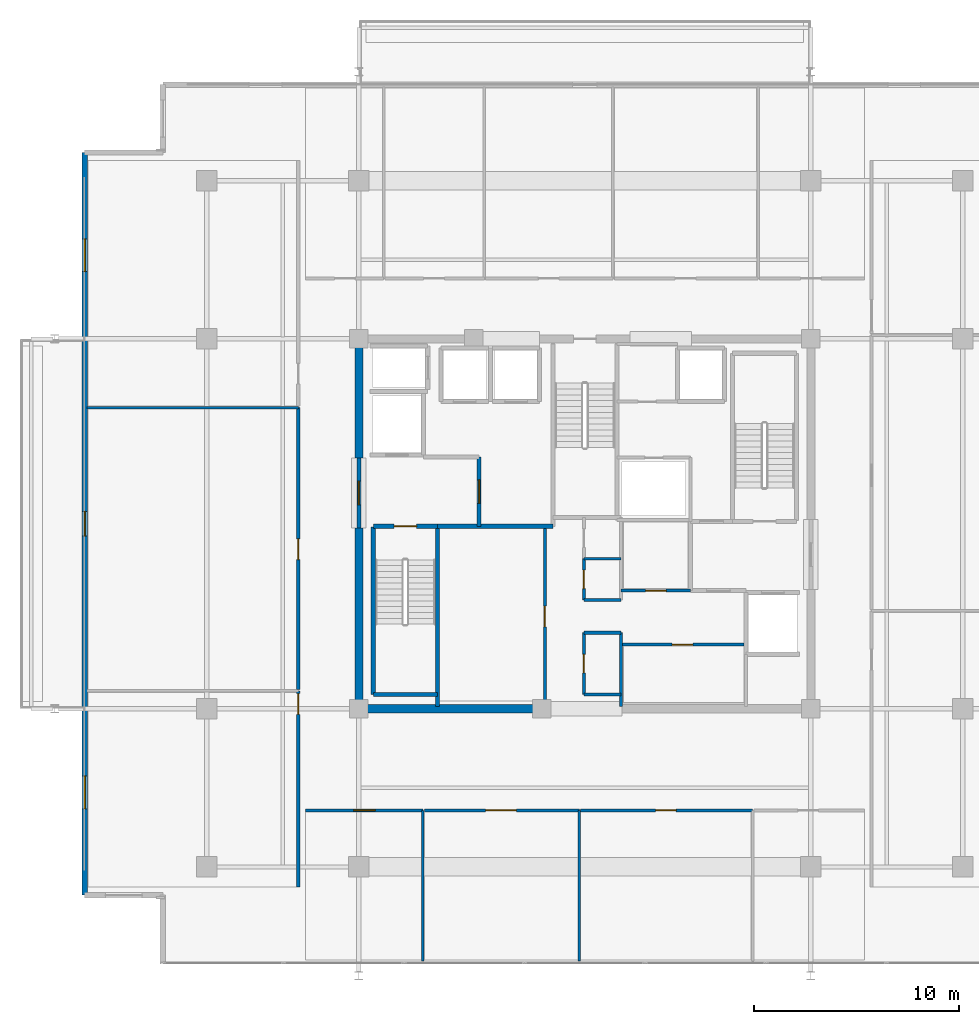
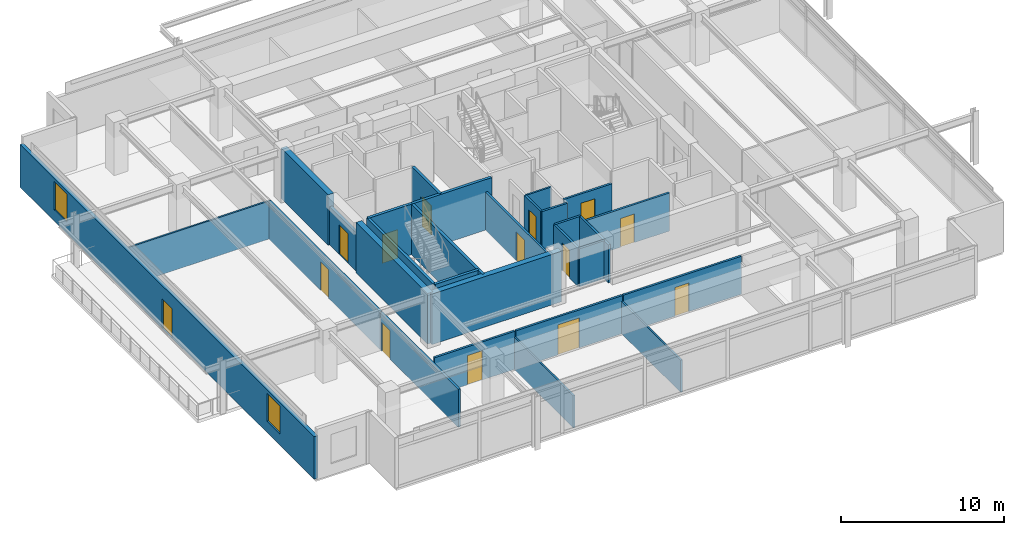
# One storey, part 13 of 20: 29 walls, 14 doors, 2 windows, 16 openings.
"""IFC4 building model written with IfcOpenShell, lengths in metres."""

from ifc_helpers import new_model, si_unit, direction, frame, frame_2d, origin, place, context, subcontext, project, spatial, rectangle, extrude, material, layer, layer_set, type_object, element, fill, save


model = new_model("IFC4")

# Units and contexts
model_context = context("Model", 3, precision=1e-05, world=origin(), true_north=direction((0.0, 1.0)))
body_context = subcontext(model_context, "Body", "Model", "MODEL_VIEW")
ifc_project = project(units=[si_unit("LENGTHUNIT", "METRE"), si_unit("AREAUNIT", "SQUARE_METRE"), si_unit("VOLUMEUNIT", "CUBIC_METRE"), si_unit("PLANEANGLEUNIT", "RADIAN"), si_unit("MASSUNIT", "GRAM", prefix="KILO")], contexts=[model_context])

# Site, building, storey
site_placement = place(None, origin())
site = spatial("IfcSite", under=ifc_project, at=site_placement, CompositionType="ELEMENT")
building_placement = place(site_placement, origin())
building = spatial("IfcBuilding", under=site, at=building_placement, Name="Kovane Verandah Tower", CompositionType="ELEMENT")
storey_placement = place(building_placement, frame((0.0, 0.0, 334.800048828125)))
storey = spatial("IfcBuildingStorey", under=building, at=storey_placement, Name="L78", CompositionType="ELEMENT", Elevation=334.800048828125)

# Walls
ifc_material_1 = material(Name="Fire-Rated Gypsum Stud Partition", Category="gypsum")
ifc_layer_1 = layer(ifc_material_1, 0.14990234375)
ifc_layer_set_1 = layer_set([ifc_layer_1], Name="Fire-Rated Gypsum Stud Partition")
wall_type_1 = type_object("IfcWallType", Name="WL-COR-150", PredefinedType="PARTITIONING", material=ifc_layer_set_1)
for number, where, z_axis, x_axis, name in (
    (1, (39.949951171875, 19.199951171875, 0.0), (0.0, 0.0, 1.0), (1.0, 0.0, 0.0), "L78 Central Core Strip South Wall"),
    (2, (39.949951171875, 22.199951171875, 0.0), (0.0, 0.0, 1.0), (1.0, 0.0, 0.0), "L78 Core Cross-Passage South Wall"),
    (3, (39.949951171875, 23.800048828125, 0.0), (0.0, 0.0, 1.0), (1.0, 0.0, 0.0), "L78 Core Cross-Passage North Wall"),
):
    element("IfcWall", number, at=place(storey_placement, frame(where, z_axis=z_axis, x_axis=x_axis)), inside=storey, type_object=wall_type_1, Name=name, PredefinedType="PARTITIONING", context=body_context, shape_type="SweptSolid", body=[
        extrude(rectangle(XDim=1.81005859375, YDim=0.14990234375, at=frame_2d((0.905029296875, 0.0))), origin(), (0.0, 0.0, 1.0), 2.849853515625),
    ])
wall_1_placement = place(storey_placement, frame((41.760009765625, 18.60009765625, 0.0), z_axis=(0.0, 0.0, 1.0), x_axis=(0.0, 1.0, 0.0)))
element("IfcWall", 4, at=wall_1_placement, inside=storey, type_object=wall_type_1, Name="L78 Central Core Strip Lower East Wall", PredefinedType="PARTITIONING", context=body_context, shape_type="SweptSolid", body=[
    extrude(rectangle(XDim=3.599853515625, YDim=0.14990234375, at=frame_2d((1.7998046875, 0.0))), origin(), (0.0, 0.0, 1.0), 2.849853515625),
])

# Wall, opening, door
wall_2_placement = place(storey_placement, frame((39.949951171875, 19.199951171875, 0.0), z_axis=(0.0, 0.0, 1.0), x_axis=(0.0, 1.0, 0.0)))
wall_2 = element("IfcWall", 5, at=wall_2_placement, inside=storey, type_object=wall_type_1, Name="L78 Male Toilet Partition", PredefinedType="PARTITIONING", context=body_context, shape_type="SweptSolid", body=[
    extrude(rectangle(XDim=3.0, YDim=0.14990234375, at=frame_2d((1.5, 0.0))), origin(), (0.0, 0.0, 1.0), 2.849853515625),
])
opening_1_placement = place(wall_2_placement, frame((1.050048828125, 0.0, 0.0)))
opening_1 = element("IfcOpeningElement", 6, at=opening_1_placement, cuts=wall_2, Name="Opening DR-L78-030", PredefinedType="OPENING", context=body_context, shape_type="SweptSolid", body=[
    extrude(rectangle(XDim=0.89990234375, YDim=2.10009765625, at=frame_2d((0.449951171875, 1.050048828125))), frame((0.0, 0.074951171875, 0.0), z_axis=(0.0, -1.0, 0.0), x_axis=(1.0, 0.0, 0.0)), (0.0, 0.0, 1.0), 0.14990234375),
])
ifc_material_2 = material(Name="Moisture-Resistant Laminate Washroom Door", Category="wood")
door_type_1 = type_object("IfcDoorType", Name="DR-WC-900", OperationType="SINGLE_SWING_LEFT", PredefinedType="DOOR", material=ifc_material_2)
door_1_placement = place(opening_1_placement, origin())
door_1 = element("IfcDoor", 7, at=door_1_placement, inside=storey, type_object=door_type_1, Name="L78 Male Toilet Door", OperationType="SINGLE_SWING_LEFT", OverallHeight=2.10009765625, OverallWidth=0.89990234375, PredefinedType="DOOR", context=body_context, shape_type="SweptSolid", body=[
    extrude(rectangle(XDim=0.89990234375, YDim=2.10009765625, at=frame_2d((0.449951171875, 1.050048828125))), frame((0.0, 0.02490234375, 0.0), z_axis=(0.0, -1.0, 0.0), x_axis=(1.0, 0.0, 0.0)), (0.0, 0.0, 1.0), 0.050048828125),
])
fill(opening_1, door_1)

wall_3_placement = place(storey_placement, frame((39.949951171875, 23.800048828125, 0.0), z_axis=(0.0, 0.0, 1.0), x_axis=(0.0, 1.0, 0.0)))
wall_3 = element("IfcWall", 8, at=wall_3_placement, inside=storey, type_object=wall_type_1, Name="L78 Female Toilet Partition", PredefinedType="PARTITIONING", context=body_context, shape_type="SweptSolid", body=[
    extrude(rectangle(XDim=2.0, YDim=0.14990234375, at=frame_2d((1.0, 0.0))), origin(), (0.0, 0.0, 1.0), 2.849853515625),
])
opening_2_placement = place(wall_3_placement, frame((0.550048828125, 0.0, 0.0)))
opening_2 = element("IfcOpeningElement", 9, at=opening_2_placement, cuts=wall_3, Name="Opening DR-L78-029", PredefinedType="OPENING", context=body_context, shape_type="SweptSolid", body=[
    extrude(rectangle(XDim=0.89990234375, YDim=2.10009765625, at=frame_2d((0.449951171875, 1.050048828125))), frame((0.0, 0.074951171875, 0.0), z_axis=(0.0, -1.0, 0.0), x_axis=(1.0, 0.0, 0.0)), (0.0, 0.0, 1.0), 0.14990234375),
])
door_2_placement = place(opening_2_placement, origin())
door_2 = element("IfcDoor", 10, at=door_2_placement, inside=storey, type_object=door_type_1, Name="L78 Female Toilet Door", OperationType="SINGLE_SWING_RIGHT", OverallHeight=2.10009765625, OverallWidth=0.89990234375, PredefinedType="DOOR", context=body_context, shape_type="SweptSolid", body=[
    extrude(rectangle(XDim=0.89990234375, YDim=2.10009765625, at=frame_2d((0.449951171875, 1.050048828125))), frame((0.0, 0.02490234375, 0.0), z_axis=(0.0, -1.0, 0.0), x_axis=(1.0, 0.0, 0.0)), (0.0, 0.0, 1.0), 0.050048828125),
])
fill(opening_2, door_2)

wall_4_placement = place(storey_placement, frame((38.050048828125, 18.60009765625, 0.0), z_axis=(0.0, 0.0, 1.0), x_axis=(0.0, 1.0, 0.0)))
wall_4 = element("IfcWall", 11, at=wall_4_placement, inside=storey, type_object=wall_type_1, Name="L78 Tenant Wellness and Archive Suite Partition", PredefinedType="PARTITIONING", context=body_context, shape_type="SweptSolid", body=[
    extrude(rectangle(XDim=8.77978515625, YDim=0.14990234375, at=frame_2d((4.389892578125, 0.0))), origin(), (0.0, 0.0, 1.0), 2.849853515625),
])
opening_3_placement = place(wall_4_placement, frame((3.889892578125, 0.0, 0.0)))
opening_3 = element("IfcOpeningElement", 12, at=opening_3_placement, cuts=wall_4, Name="Opening DR-L78-014", PredefinedType="OPENING", context=body_context, shape_type="SweptSolid", body=[
    extrude(rectangle(XDim=1.0, YDim=2.14990234375, at=frame_2d((0.5, 1.074951171875))), frame((0.0, 0.074951171875, 0.0), z_axis=(0.0, -1.0, 0.0), x_axis=(1.0, 0.0, 0.0)), (0.0, 0.0, 1.0), 0.14990234375),
])
ifc_material_3 = material(Name="FSC Spotted-Gum Timber Fire-Rated Office Door", Category="wood")
door_type_2 = type_object("IfcDoorType", Name="DR-OFF-1000", OperationType="SINGLE_SWING_LEFT", PredefinedType="DOOR", material=ifc_material_3)
door_3_placement = place(opening_3_placement, origin())
door_3 = element("IfcDoor", 13, at=door_3_placement, inside=storey, type_object=door_type_2, Name="L78 Tenant Wellness and Archive Suite Door", OperationType="SINGLE_SWING_RIGHT", OverallHeight=2.14990234375, OverallWidth=1.0, PredefinedType="DOOR", context=body_context, shape_type="SweptSolid", body=[
    extrude(rectangle(XDim=1.0, YDim=2.14990234375, at=frame_2d((0.5, 1.074951171875))), frame((0.0, 0.02490234375, 0.0), z_axis=(0.0, -1.0, 0.0), x_axis=(1.0, 0.0, 0.0)), (0.0, 0.0, 1.0), 0.050048828125),
])
fill(opening_3, door_3)

wall_5_placement = place(storey_placement, frame((41.760009765625, 21.6201171875, 0.0), z_axis=(0.0, 0.0, 1.0), x_axis=(1.0, 0.0, 0.0)))
wall_5 = element("IfcWall", 14, at=wall_5_placement, inside=storey, type_object=wall_type_1, Name="L78 Records Vault Room Partition", PredefinedType="PARTITIONING", context=body_context, shape_type="SweptSolid", body=[
    extrude(rectangle(XDim=5.97998046875, YDim=0.14990234375, at=frame_2d((2.989990234375, 0.0))), origin(), (0.0, 0.0, 1.0), 2.849853515625),
])
opening_4_placement = place(wall_5_placement, frame((2.489990234375, 0.0, 0.0)))
opening_4 = element("IfcOpeningElement", 15, at=opening_4_placement, cuts=wall_5, Name="Opening DR-L78-015", PredefinedType="OPENING", context=body_context, shape_type="SweptSolid", body=[
    extrude(rectangle(XDim=1.0, YDim=2.14990234375, at=frame_2d((0.5, 1.074951171875))), frame((0.0, 0.074951171875, 0.0), z_axis=(0.0, -1.0, 0.0), x_axis=(1.0, 0.0, 0.0)), (0.0, 0.0, 1.0), 0.14990234375),
])
door_4_placement = place(opening_4_placement, origin())
door_4 = element("IfcDoor", 16, at=door_4_placement, inside=storey, type_object=door_type_2, Name="L78 Records Vault Room Door", OperationType="SINGLE_SWING_LEFT", OverallHeight=2.14990234375, OverallWidth=1.0, PredefinedType="DOOR", context=body_context, shape_type="SweptSolid", body=[
    extrude(rectangle(XDim=1.0, YDim=2.14990234375, at=frame_2d((0.5, 1.074951171875))), frame((0.0, 0.02490234375, 0.0), z_axis=(0.0, -1.0, 0.0), x_axis=(1.0, 0.0, 0.0)), (0.0, 0.0, 1.0), 0.050048828125),
])
fill(opening_4, door_4)

wall_6_placement = place(storey_placement, frame((41.760009765625, 24.25, 0.0), z_axis=(0.0, 0.0, 1.0), x_axis=(1.0, 0.0, 0.0)))
wall_6 = element("IfcWall", 17, at=wall_6_placement, inside=storey, type_object=wall_type_1, Name="L78 Document Archive Room Partition", PredefinedType="PARTITIONING", context=body_context, shape_type="SweptSolid", body=[
    extrude(rectangle(XDim=3.389892578125, YDim=0.14990234375, at=frame_2d((1.69482421875, 0.0))), origin(), (0.0, 0.0, 1.0), 2.849853515625),
])
opening_5_placement = place(wall_6_placement, frame((1.195068359375, 0.0, 0.0)))
opening_5 = element("IfcOpeningElement", 18, at=opening_5_placement, cuts=wall_6, Name="Opening DR-L78-016", PredefinedType="OPENING", context=body_context, shape_type="SweptSolid", body=[
    extrude(rectangle(XDim=1.0, YDim=2.14990234375, at=frame_2d((0.5, 1.074951171875))), frame((0.0, 0.074951171875, 0.0), z_axis=(0.0, -1.0, 0.0), x_axis=(1.0, 0.0, 0.0)), (0.0, 0.0, 1.0), 0.14990234375),
])
door_5_placement = place(opening_5_placement, origin())
door_5 = element("IfcDoor", 19, at=door_5_placement, inside=storey, type_object=door_type_2, Name="L78 Document Archive Room Door", OperationType="SINGLE_SWING_RIGHT", OverallHeight=2.14990234375, OverallWidth=1.0, PredefinedType="DOOR", context=body_context, shape_type="SweptSolid", body=[
    extrude(rectangle(XDim=1.0, YDim=2.14990234375, at=frame_2d((0.5, 1.074951171875))), frame((0.0, 0.02490234375, 0.0), z_axis=(0.0, -1.0, 0.0), x_axis=(1.0, 0.0, 0.0)), (0.0, 0.0, 1.0), 0.050048828125),
])
fill(opening_5, door_5)

wall_7_placement = place(storey_placement, frame((26.39990234375, 13.550048828125, 0.0), z_axis=(0.0, 0.0, 1.0), x_axis=(1.0, 0.0, 0.0)))
wall_7 = element("IfcWall", 20, at=wall_7_placement, inside=storey, type_object=wall_type_1, Name="L78 Executive Office S1 Corridor Partition", PredefinedType="PARTITIONING", context=body_context, shape_type="SweptSolid", body=[
    extrude(rectangle(XDim=5.712158203125, YDim=0.14990234375, at=frame_2d((2.85595703125, 0.0))), origin(), (0.0, 0.0, 1.0), 2.849853515625),
])
opening_6_placement = place(wall_7_placement, frame((2.345947265625, 0.0, 0.0)))
opening_6 = element("IfcOpeningElement", 21, at=opening_6_placement, cuts=wall_7, Name="Opening DR-L78-024", PredefinedType="OPENING", context=body_context, shape_type="SweptSolid", body=[
    extrude(rectangle(XDim=1.050048828125, YDim=2.199951171875, at=frame_2d((0.52490234375, 1.10009765625))), frame((0.0, 0.074951171875, 0.0), z_axis=(0.0, -1.0, 0.0), x_axis=(1.0, 0.0, 0.0)), (0.0, 0.0, 1.0), 0.14990234375),
])
ifc_material_4 = material(Name="FSC Blackbutt Timber Fire-Rated Executive Door", Category="wood")
door_type_3 = type_object("IfcDoorType", Name="DR-EXEC-1050", OperationType="SINGLE_SWING_LEFT", PredefinedType="DOOR", material=ifc_material_4)
door_6_placement = place(opening_6_placement, origin())
door_6 = element("IfcDoor", 22, at=door_6_placement, inside=storey, type_object=door_type_3, Name="L78 Executive Office S1 Entrance Door", OperationType="SINGLE_SWING_RIGHT", OverallHeight=2.199951171875, OverallWidth=1.050048828125, PredefinedType="DOOR", context=body_context, shape_type="SweptSolid", body=[
    extrude(rectangle(XDim=1.050048828125, YDim=2.199951171875, at=frame_2d((0.52490234375, 1.10009765625))), frame((0.0, 0.02490234375, 0.0), z_axis=(0.0, -1.0, 0.0), x_axis=(1.0, 0.0, 0.0)), (0.0, 0.0, 1.0), 0.050048828125),
])
fill(opening_6, door_6)

wall_8_placement = place(storey_placement, frame((32.181884765625, 13.550048828125, 0.0), z_axis=(0.0, 0.0, 1.0), x_axis=(1.0, 0.0, 0.0)))
wall_8 = element("IfcWall", 23, at=wall_8_placement, inside=storey, type_object=wall_type_1, Name="L78 Client Boardroom S2 Corridor Partition", PredefinedType="PARTITIONING", context=body_context, shape_type="SweptSolid", body=[
    extrude(rectangle(XDim=7.546142578125, YDim=0.14990234375, at=frame_2d((3.77294921875, 0.0))), origin(), (0.0, 0.0, 1.0), 2.849853515625),
])
opening_7_placement = place(wall_8_placement, frame((2.988037109375, 0.0, 0.0)))
opening_7 = element("IfcOpeningElement", 24, at=opening_7_placement, cuts=wall_8, Name="Opening DR-L78-025", PredefinedType="OPENING", context=body_context, shape_type="SweptSolid", body=[
    extrude(rectangle(XDim=1.5, YDim=2.25, at=frame_2d((0.75, 1.125))), frame((0.0, 0.074951171875, 0.0), z_axis=(0.0, -1.0, 0.0), x_axis=(1.0, 0.0, 0.0)), (0.0, 0.0, 1.0), 0.14990234375),
])
ifc_material_5 = material(Name="Glazed Timber Fire-Rated Double Door", Category="wood")
door_type_4 = type_object("IfcDoorType", Name="DR-CONF-1500", OperationType="DOUBLE_DOOR_SINGLE_SWING", PredefinedType="DOOR", material=ifc_material_5)
door_7_placement = place(opening_7_placement, origin())
door_7 = element("IfcDoor", 25, at=door_7_placement, inside=storey, type_object=door_type_4, Name="L78 Client Boardroom S2 Entrance Door", OperationType="DOUBLE_DOOR_SINGLE_SWING", OverallHeight=2.25, OverallWidth=1.5, PredefinedType="DOOR", context=body_context, shape_type="SweptSolid", body=[
    extrude(rectangle(XDim=1.5, YDim=2.25, at=frame_2d((0.75, 1.125))), frame((0.0, 0.02490234375, 0.0), z_axis=(0.0, -1.0, 0.0), x_axis=(1.0, 0.0, 0.0)), (0.0, 0.0, 1.0), 0.050048828125),
])
fill(opening_7, door_7)

wall_9_placement = place(storey_placement, frame((39.798095703125, 13.550048828125, 0.0), z_axis=(0.0, 0.0, 1.0), x_axis=(1.0, 0.0, 0.0)))
wall_9 = element("IfcWall", 26, at=wall_9_placement, inside=storey, type_object=wall_type_1, Name="L78 Meeting Room S3 Corridor Partition", PredefinedType="PARTITIONING", context=body_context, shape_type="SweptSolid", body=[
    extrude(rectangle(XDim=8.36181640625, YDim=0.14990234375, at=frame_2d((4.180908203125, 0.0))), origin(), (0.0, 0.0, 1.0), 2.849853515625),
])
opening_8_placement = place(wall_9_placement, frame((3.64599609375, 0.0, 0.0)))
opening_8 = element("IfcOpeningElement", 27, at=opening_8_placement, cuts=wall_9, Name="Opening DR-L78-026", PredefinedType="OPENING", context=body_context, shape_type="SweptSolid", body=[
    extrude(rectangle(XDim=1.0, YDim=2.14990234375, at=frame_2d((0.5, 1.074951171875))), frame((0.0, 0.074951171875, 0.0), z_axis=(0.0, -1.0, 0.0), x_axis=(1.0, 0.0, 0.0)), (0.0, 0.0, 1.0), 0.14990234375),
])
door_8_placement = place(opening_8_placement, origin())
door_8 = element("IfcDoor", 28, at=door_8_placement, inside=storey, type_object=door_type_2, Name="L78 Meeting Room S3 Entrance Door", OperationType="SINGLE_SWING_RIGHT", OverallHeight=2.14990234375, OverallWidth=1.0, PredefinedType="DOOR", context=body_context, shape_type="SweptSolid", body=[
    extrude(rectangle(XDim=1.0, YDim=2.14990234375, at=frame_2d((0.5, 1.074951171875))), frame((0.0, 0.02490234375, 0.0), z_axis=(0.0, -1.0, 0.0), x_axis=(1.0, 0.0, 0.0)), (0.0, 0.0, 1.0), 0.050048828125),
])
fill(opening_8, door_8)

wall_10_placement = place(storey_placement, frame((26.050048828125, 9.827880859375, 0.0), z_axis=(0.0, 0.0, 1.0), x_axis=(0.0, 1.0, 0.0)))
wall_10 = element("IfcWall", 29, at=wall_10_placement, inside=storey, type_object=wall_type_1, Name="L78 Breakout Pantry W1 Corridor Partition", PredefinedType="PARTITIONING", context=body_context, shape_type="SweptSolid", body=[
    extrude(rectangle(XDim=9.54296875, YDim=0.14990234375, at=frame_2d((4.771484375, 0.0))), origin(), (0.0, 0.0, 1.0), 2.849853515625),
])
opening_9_placement = place(wall_10_placement, frame((8.403076171875, 0.0, 0.0)))
opening_9 = element("IfcOpeningElement", 30, at=opening_9_placement, cuts=wall_10, Name="Opening DR-L78-031", PredefinedType="OPENING", context=body_context, shape_type="SweptSolid", body=[
    extrude(rectangle(XDim=1.0, YDim=2.14990234375, at=frame_2d((0.5, 1.074951171875))), frame((0.0, 0.074951171875, 0.0), z_axis=(0.0, -1.0, 0.0), x_axis=(1.0, 0.0, 0.0)), (0.0, 0.0, 1.0), 0.14990234375),
])
door_9_placement = place(opening_9_placement, origin())
door_9 = element("IfcDoor", 31, at=door_9_placement, inside=storey, type_object=door_type_2, Name="L78 Breakout Pantry W1 Entrance Door", OperationType="SINGLE_SWING_RIGHT", OverallHeight=2.14990234375, OverallWidth=1.0, PredefinedType="DOOR", context=body_context, shape_type="SweptSolid", body=[
    extrude(rectangle(XDim=1.0, YDim=2.14990234375, at=frame_2d((0.5, 1.074951171875))), frame((0.0, 0.02490234375, 0.0), z_axis=(0.0, -1.0, 0.0), x_axis=(1.0, 0.0, 0.0)), (0.0, 0.0, 1.0), 0.050048828125),
])
fill(opening_9, door_9)

wall_11_placement = place(storey_placement, frame((26.050048828125, 19.44091796875, 0.0), z_axis=(0.0, 0.0, 1.0), x_axis=(0.0, 1.0, 0.0)))
wall_11 = element("IfcWall", 32, at=wall_11_placement, inside=storey, type_object=wall_type_1, Name="L78 Collaboration Hub W2 Corridor Partition", PredefinedType="PARTITIONING", context=body_context, shape_type="SweptSolid", body=[
    extrude(rectangle(XDim=13.714111328125, YDim=0.14990234375, at=frame_2d((6.85693359375, 0.0))), origin(), (0.0, 0.0, 1.0), 2.849853515625),
])
opening_10_placement = place(wall_11_placement, frame((6.322021484375, 0.0, 0.0)))
opening_10 = element("IfcOpeningElement", 33, at=opening_10_placement, cuts=wall_11, Name="Opening DR-L78-032", PredefinedType="OPENING", context=body_context, shape_type="SweptSolid", body=[
    extrude(rectangle(XDim=1.0, YDim=2.14990234375, at=frame_2d((0.5, 1.074951171875))), frame((0.0, 0.074951171875, 0.0), z_axis=(0.0, -1.0, 0.0), x_axis=(1.0, 0.0, 0.0)), (0.0, 0.0, 1.0), 0.14990234375),
])
door_10_placement = place(opening_10_placement, origin())
door_10 = element("IfcDoor", 34, at=door_10_placement, inside=storey, type_object=door_type_2, Name="L78 Collaboration Hub W2 Entrance Door", OperationType="SINGLE_SWING_LEFT", OverallHeight=2.14990234375, OverallWidth=1.0, PredefinedType="DOOR", context=body_context, shape_type="SweptSolid", body=[
    extrude(rectangle(XDim=1.0, YDim=2.14990234375, at=frame_2d((0.5, 1.074951171875))), frame((0.0, 0.02490234375, 0.0), z_axis=(0.0, -1.0, 0.0), x_axis=(1.0, 0.0, 0.0)), (0.0, 0.0, 1.0), 0.050048828125),
])
fill(opening_10, door_10)

# Walls
ifc_material_6 = material(Name="Concrete C60/75", Category="concrete")
ifc_layer_2 = layer(ifc_material_6, 0.39990234375)
ifc_layer_set_2 = layer_set([ifc_layer_2], Name="Concrete C60/75")
wall_type_2 = type_object("IfcWallType", Name="WL-CORE-400", PredefinedType="SHEAR", material=ifc_layer_set_2)
wall_12_placement = place(storey_placement, frame((29.0, 18.5, 0.0), z_axis=(0.0, 0.0, 1.0), x_axis=(1.0, 0.0, 0.0)))
element("IfcWall", 35, at=wall_12_placement, inside=storey, type_object=wall_type_2, Name="L78 Core Shear Wall CS-1", PredefinedType="SHEAR", context=body_context, shape_type="SweptSolid", body=[
    extrude(rectangle(XDim=9.199951171875, YDim=0.39990234375, at=frame_2d((4.60009765625, 0.0))), origin(), (0.0, 0.0, 1.0), 3.784912109375),
])
wall_13_placement = place(storey_placement, frame((29.0, 18.5, 0.0), z_axis=(0.0, 0.0, 1.0), x_axis=(0.0, 1.0, 0.0)))
element("IfcWall", 36, at=wall_13_placement, inside=storey, type_object=wall_type_2, Name="L78 Core Shear Wall CW-1", PredefinedType="SHEAR", context=body_context, shape_type="SweptSolid", body=[
    extrude(rectangle(XDim=8.800048828125, YDim=0.39990234375, at=frame_2d((4.39990234375, 0.0))), origin(), (0.0, 0.0, 1.0), 3.784912109375),
])
wall_14_placement = place(storey_placement, frame((29.0, 30.699951171875, 0.0), z_axis=(0.0, 0.0, 1.0), x_axis=(0.0, 1.0, 0.0)))
element("IfcWall", 37, at=wall_14_placement, inside=storey, type_object=wall_type_2, Name="L78 Core Shear Wall CW-2", PredefinedType="SHEAR", context=body_context, shape_type="SweptSolid", body=[
    extrude(rectangle(XDim=5.800048828125, YDim=0.39990234375, at=frame_2d((2.89990234375, 0.0))), origin(), (0.0, 0.0, 1.0), 3.784912109375),
])

# Wall, opening, door
ifc_material_7 = material(Name="Concrete C45/55 Fire Wall", Category="concrete")
ifc_layer_3 = layer(ifc_material_7, 0.199951171875)
ifc_layer_set_3 = layer_set([ifc_layer_3], Name="Concrete C45/55 Fire Wall")
wall_type_3 = type_object("IfcWallType", Name="WL-FFL-200", PredefinedType="PARTITIONING", material=ifc_layer_set_3)
wall_15_placement = place(storey_placement, frame((34.85009765625, 27.3798828125, 0.0), z_axis=(0.0, 0.0, 1.0), x_axis=(0.0, 1.0, 0.0)))
wall_15 = element("IfcWall", 38, at=wall_15_placement, inside=storey, type_object=wall_type_3, Name="W-L78-FFLW-E", PredefinedType="PARTITIONING", context=body_context, shape_type="SweptSolid", body=[
    extrude(rectangle(XDim=3.3701171875, YDim=0.199951171875, at=frame_2d((1.68505859375, 0.0))), origin(), (0.0, 0.0, 1.0), 3.784912109375),
])
opening_11_placement = place(wall_15_placement, frame((1.110107421875, 0.0, 0.0)))
opening_11 = element("IfcOpeningElement", 39, at=opening_11_placement, cuts=wall_15, Name="Opening DR-L78-006", PredefinedType="OPENING", context=body_context, shape_type="SweptSolid", body=[
    extrude(rectangle(XDim=1.14990234375, YDim=2.199951171875, at=frame_2d((0.574951171875, 1.10009765625))), frame((0.0, 0.10009765625, 0.0), z_axis=(0.0, -1.0, 0.0), x_axis=(1.0, 0.0, 0.0)), (0.0, 0.0, 1.0), 0.199951171875),
])
ifc_material_8 = material(Name="Smoke-Sealed Firefighting Lobby Door", Category="steel")
door_type_5 = type_object("IfcDoorType", Name="DR-FFL-1150", OperationType="SINGLE_SWING_LEFT", PredefinedType="DOOR", material=ifc_material_8)
door_11_placement = place(opening_11_placement, origin())
door_11 = element("IfcDoor", 40, at=door_11_placement, inside=storey, type_object=door_type_5, Name="L78 West Firefighting Lobby Inner Door", OperationType="SINGLE_SWING_LEFT", OverallHeight=2.199951171875, OverallWidth=1.14990234375, PredefinedType="DOOR", context=body_context, shape_type="SweptSolid", body=[
    extrude(rectangle(XDim=1.14990234375, YDim=2.199951171875, at=frame_2d((0.574951171875, 1.10009765625))), frame((0.0, 0.02490234375, 0.0), z_axis=(0.0, -1.0, 0.0), x_axis=(1.0, 0.0, 0.0)), (0.0, 0.0, 1.0), 0.050048828125),
])
fill(opening_11, door_11)

wall_16_placement = place(storey_placement, frame((29.0, 27.300048828125, 0.0), z_axis=(0.0, 0.0, 1.0), x_axis=(0.0, 1.0, 0.0)))
wall_16 = element("IfcWall", 41, at=wall_16_placement, inside=storey, type_object=wall_type_3, Name="W-L78-FFLW-OUT", PredefinedType="PARTITIONING", context=body_context, shape_type="SweptSolid", body=[
    extrude(rectangle(XDim=3.39990234375, YDim=0.199951171875, at=frame_2d((1.699951171875, 0.0))), origin(), (0.0, 0.0, 1.0), 2.864990234375),
])
opening_12_placement = place(wall_16_placement, frame((1.125, 0.0, 0.0)))
opening_12 = element("IfcOpeningElement", 42, at=opening_12_placement, cuts=wall_16, Name="Opening DR-L78-007", PredefinedType="OPENING", context=body_context, shape_type="SweptSolid", body=[
    extrude(rectangle(XDim=1.14990234375, YDim=2.199951171875, at=frame_2d((0.574951171875, 1.10009765625))), frame((0.0, 0.10009765625, 0.0), z_axis=(0.0, -1.0, 0.0), x_axis=(1.0, 0.0, 0.0)), (0.0, 0.0, 1.0), 0.199951171875),
])
door_12_placement = place(opening_12_placement, origin())
door_12 = element("IfcDoor", 43, at=door_12_placement, inside=storey, type_object=door_type_5, Name="L78 West Firefighting Lobby Corridor Door", OperationType="SINGLE_SWING_RIGHT", OverallHeight=2.199951171875, OverallWidth=1.14990234375, PredefinedType="DOOR", context=body_context, shape_type="SweptSolid", body=[
    extrude(rectangle(XDim=1.14990234375, YDim=2.199951171875, at=frame_2d((0.574951171875, 1.10009765625))), frame((0.0, 0.02490234375, 0.0), z_axis=(0.0, -1.0, 0.0), x_axis=(1.0, 0.0, 0.0)), (0.0, 0.0, 1.0), 0.050048828125),
])
fill(opening_12, door_12)

# Walls
wall_17_placement = place(storey_placement, frame((32.820068359375, 27.3798828125, 0.0), z_axis=(0.0, 0.0, 1.0), x_axis=(1.0, 0.0, 0.0)))
element("IfcWall", 44, at=wall_17_placement, inside=storey, type_object=wall_type_3, Name="L78 West Firefighting Lobby South Fire Wall", PredefinedType="PARTITIONING", context=body_context, shape_type="SweptSolid", body=[
    extrude(rectangle(XDim=5.619873046875, YDim=0.199951171875, at=frame_2d((2.81005859375, 0.0))), origin(), (0.0, 0.0, 1.0), 3.784912109375),
])
ifc_material_9 = material(Name="Acoustic Fire-Rated Gypsum Partition", Category="gypsum")
ifc_layer_4 = layer(ifc_material_9, 0.1201171875)
ifc_layer_set_4 = layer_set([ifc_layer_4], Name="Acoustic Fire-Rated Gypsum Partition")
wall_type_4 = type_object("IfcWallType", Name="WL-PART-120", PredefinedType="PARTITIONING", material=ifc_layer_set_4)
wall_18_placement = place(storey_placement, frame((39.949951171875, 25.800048828125, 0.0), z_axis=(0.0, 0.0, 1.0), x_axis=(1.0, 0.0, 0.0)))
element("IfcWall", 45, at=wall_18_placement, inside=storey, type_object=wall_type_4, Name="L78 Central Core Strip Upper Dividing Partition", PredefinedType="PARTITIONING", context=body_context, shape_type="SweptSolid", body=[
    extrude(rectangle(XDim=1.81005859375, YDim=0.1201171875, at=frame_2d((0.905029296875, 0.0))), origin(), (0.0, 0.0, 1.0), 2.849853515625),
])
for number, where, z_axis, x_axis, name in (
    (46, (32.112060546875, 6.227783203125, 0.0), (0.0, 0.0, 1.0), (0.0, 1.0, 0.0), "L78 Executive Office S1 Dividing Partition"),
    (47, (39.72802734375, 6.227783203125, 0.0), (0.0, 0.0, 1.0), (0.0, 1.0, 0.0), "L78 Client Boardroom S2 Dividing Partition"),
):
    element("IfcWall", number, at=place(storey_placement, frame(where, z_axis=z_axis, x_axis=x_axis)), inside=storey, type_object=wall_type_4, Name=name, PredefinedType="PARTITIONING", context=body_context, shape_type="SweptSolid", body=[
        extrude(rectangle(XDim=7.322265625, YDim=0.1201171875, at=frame_2d((3.6611328125, 0.0))), origin(), (0.0, 0.0, 1.0), 2.4150390625),
    ])
wall_19_placement = place(storey_placement, frame((15.755615234375, 33.155029296875, 0.0), z_axis=(0.0, 0.0, 1.0), x_axis=(1.0, 0.0, 0.0)))
element("IfcWall", 48, at=wall_19_placement, inside=storey, type_object=wall_type_4, Name="L78 Collaboration Hub W2 Dividing Partition", PredefinedType="PARTITIONING", context=body_context, shape_type="SweptSolid", body=[
    extrude(rectangle(XDim=10.29443359375, YDim=0.1201171875, at=frame_2d((5.147216796875, 0.0))), origin(), (0.0, 0.0, 1.0), 2.849853515625),
])
ifc_material_10 = material(Name="Concrete C45/55", Category="concrete")
ifc_layer_5 = layer(ifc_material_10, 0.199951171875)
ifc_layer_set_5 = layer_set([ifc_layer_5], Name="Concrete C45/55")
wall_type_5 = type_object("IfcWallType", Name="WL-SHAFT-200", PredefinedType="SOLIDWALL", material=ifc_layer_set_5)
wall_20_placement = place(storey_placement, frame((29.699951171875, 19.199951171875, 0.0), z_axis=(0.0, 0.0, 1.0), x_axis=(0.0, 1.0, 0.0)))
element("IfcWall", 49, at=wall_20_placement, inside=storey, type_object=wall_type_5, Name="W-L78-ST01-W", PredefinedType="SOLIDWALL", context=body_context, shape_type="SweptSolid", body=[
    extrude(rectangle(XDim=8.150146484375, YDim=0.199951171875, at=frame_2d((4.0751953125, 0.0))), origin(), (0.0, 0.0, 1.0), 3.784912109375),
])
wall_21_placement = place(storey_placement, frame((29.699951171875, 19.199951171875, 0.0), z_axis=(0.0, 0.0, 1.0), x_axis=(1.0, 0.0, 0.0)))
element("IfcWall", 50, at=wall_21_placement, inside=storey, type_object=wall_type_5, Name="W-L78-ST01-S", PredefinedType="SOLIDWALL", context=body_context, shape_type="SweptSolid", body=[
    extrude(rectangle(XDim=3.1201171875, YDim=0.199951171875, at=frame_2d((1.56005859375, 0.0))), origin(), (0.0, 0.0, 1.0), 3.784912109375),
])
wall_22_placement = place(storey_placement, frame((32.820068359375, 18.60009765625, 0.0), z_axis=(0.0, 0.0, 1.0), x_axis=(0.0, 1.0, 0.0)))
element("IfcWall", 51, at=wall_22_placement, inside=storey, type_object=wall_type_5, Name="W-L78-ST01-E", PredefinedType="SOLIDWALL", context=body_context, shape_type="SweptSolid", body=[
    extrude(rectangle(XDim=8.77978515625, YDim=0.199951171875, at=frame_2d((4.389892578125, 0.0))), origin(), (0.0, 0.0, 1.0), 3.784912109375),
])

# Wall, opening, door
wall_23_placement = place(storey_placement, frame((29.699951171875, 27.3798828125, 0.0), z_axis=(0.0, 0.0, 1.0), x_axis=(1.0, 0.0, 0.0)))
wall_23 = element("IfcWall", 52, at=wall_23_placement, inside=storey, type_object=wall_type_5, Name="W-L78-ST01-N", PredefinedType="SOLIDWALL", context=body_context, shape_type="SweptSolid", body=[
    extrude(rectangle(XDim=3.1201171875, YDim=0.199951171875, at=frame_2d((1.56005859375, 0.0))), origin(), (0.0, 0.0, 1.0), 3.784912109375),
])
opening_13_placement = place(wall_23_placement, frame((1.010009765625, 0.0, 0.0)))
opening_13 = element("IfcOpeningElement", 53, at=opening_13_placement, cuts=wall_23, Name="Opening DR-L78-008", PredefinedType="OPENING", context=body_context, shape_type="SweptSolid", body=[
    extrude(rectangle(XDim=1.10009765625, YDim=2.14990234375, at=frame_2d((0.550048828125, 1.074951171875))), frame((0.0, 0.10009765625, 0.0), z_axis=(0.0, -1.0, 0.0), x_axis=(1.0, 0.0, 0.0)), (0.0, 0.0, 1.0), 0.199951171875),
])
ifc_material_11 = material(Name="Fire-Rated Steel Exit Door", Category="steel")
door_type_6 = type_object("IfcDoorType", Name="DR-STAIR-1100", OperationType="SINGLE_SWING_LEFT", PredefinedType="DOOR", material=ifc_material_11)
door_13_placement = place(opening_13_placement, origin())
door_13 = element("IfcDoor", 54, at=door_13_placement, inside=storey, type_object=door_type_6, Name="L78 ST-01 Fire Exit Stair Door", OperationType="SINGLE_SWING_RIGHT", OverallHeight=2.14990234375, OverallWidth=1.10009765625, PredefinedType="DOOR", context=body_context, shape_type="SweptSolid", body=[
    extrude(rectangle(XDim=1.10009765625, YDim=2.14990234375, at=frame_2d((0.550048828125, 1.074951171875))), frame((0.0, 0.02490234375, 0.0), z_axis=(0.0, -1.0, 0.0), x_axis=(1.0, 0.0, 0.0)), (0.0, 0.0, 1.0), 0.050048828125),
])
fill(opening_13, door_13)

# Wall, openings, door, windows
ifc_material_12 = material(Name="Concrete C45/55 Insulated Spandrel Wall", Category="concrete")
ifc_layer_6 = layer(ifc_material_12, 0.260009765625)
ifc_layer_set_6 = layer_set([ifc_layer_6], Name="Concrete C45/55 Insulated Spandrel Wall")
wall_type_6 = type_object("IfcWallType", Name="WL-SPANDREL-260", PredefinedType="PARAPET", material=ifc_layer_set_6)
wall_24_placement = place(storey_placement, frame((15.655517578125, 45.572265625, 0.0), z_axis=(0.0, 0.0, 1.0), x_axis=(0.0, -1.0, 0.0)))
wall_24 = element("IfcWall", 55, at=wall_24_placement, inside=storey, type_object=wall_type_6, Name="L78 W Verandah Access Facade Wall", PredefinedType="PARAPET", context=body_context, shape_type="SweptSolid", body=[
    extrude(rectangle(XDim=36.14453125, YDim=0.260009765625, at=frame_2d((18.072265625, 0.0))), origin(), (0.0, 0.0, 1.0), 3.195556640625),
])
opening_14_placement = place(wall_24_placement, frame((4.199951171875, 0.0, 0.85009765625)))
opening_14 = element("IfcOpeningElement", 56, at=opening_14_placement, cuts=wall_24, Name="Opening W-02", PredefinedType="OPENING", context=body_context, shape_type="SweptSolid", body=[
    extrude(rectangle(XDim=1.60009765625, YDim=2.10009765625, at=frame_2d((0.800048828125, 1.050048828125))), frame((0.0, 0.1298828125, 0.0), z_axis=(0.0, -1.0, 0.0), x_axis=(1.0, 0.0, 0.0)), (0.0, 0.0, 1.0), 0.260009765625),
])
opening_15_placement = place(wall_24_placement, frame((17.47216796875, 0.0, 0.0)))
opening_15 = element("IfcOpeningElement", 57, at=opening_15_placement, cuts=wall_24, Name="Opening DR-L78-002", PredefinedType="OPENING", context=body_context, shape_type="SweptSolid", body=[
    extrude(rectangle(XDim=1.199951171875, YDim=2.199951171875, at=frame_2d((0.60009765625, 1.10009765625))), frame((0.0, 0.1298828125, 0.0), z_axis=(0.0, -1.0, 0.0), x_axis=(1.0, 0.0, 0.0)), (0.0, 0.0, 1.0), 0.260009765625),
])
opening_16_placement = place(wall_24_placement, frame((30.344482421875, 0.0, 0.85009765625)))
opening_16 = element("IfcOpeningElement", 58, at=opening_16_placement, cuts=wall_24, Name="Opening W-02", PredefinedType="OPENING", context=body_context, shape_type="SweptSolid", body=[
    extrude(rectangle(XDim=1.60009765625, YDim=2.10009765625, at=frame_2d((0.800048828125, 1.050048828125))), frame((0.0, 0.1298828125, 0.0), z_axis=(0.0, -1.0, 0.0), x_axis=(1.0, 0.0, 0.0)), (0.0, 0.0, 1.0), 0.260009765625),
])
ifc_material_13 = material(Name="Cyclone-Rated Glazed Balcony Leaf Door", Category="aluminium")
door_type_7 = type_object("IfcDoorType", Name="DR-BAL-1200x2200", OperationType="SINGLE_SWING_LEFT", PredefinedType="DOOR", material=ifc_material_13)
door_14_placement = place(opening_15_placement, origin())
door_14 = element("IfcDoor", 59, at=door_14_placement, inside=storey, type_object=door_type_7, Name="L78 W Planted Balcony Access Door", OperationType="SINGLE_SWING_LEFT", OverallHeight=2.199951171875, OverallWidth=1.199951171875, PredefinedType="DOOR", context=body_context, shape_type="SweptSolid", body=[
    extrude(rectangle(XDim=1.199951171875, YDim=2.199951171875, at=frame_2d((0.60009765625, 1.10009765625))), frame((0.0, 0.02490234375, 0.0), z_axis=(0.0, -1.0, 0.0), x_axis=(1.0, 0.0, 0.0)), (0.0, 0.0, 1.0), 0.050048828125),
])
fill(opening_15, door_14)
ifc_material_14 = material(Name="Clear Low-E Laminated Double Glazing in Anodised Frame", Category="glass")
window_type = type_object("IfcWindowType", Name="WN-OPER-1600x2100", PartitioningType="SINGLE_PANEL", PredefinedType="WINDOW", material=ifc_material_14)
window_1_placement = place(opening_14_placement, origin())
window_1 = element("IfcWindow", 60, at=window_1_placement, inside=storey, type_object=window_type, Name="L78 W Verandah View Window 1", OverallHeight=2.10009765625, OverallWidth=1.60009765625, PartitioningType="SINGLE_PANEL", PredefinedType="WINDOW", context=body_context, shape_type="SweptSolid", body=[
    extrude(rectangle(XDim=1.60009765625, YDim=2.10009765625, at=frame_2d((0.800048828125, 1.050048828125))), frame((0.0, 0.030029296875, 0.0), z_axis=(0.0, -1.0, 0.0), x_axis=(1.0, 0.0, 0.0)), (0.0, 0.0, 1.0), 0.06005859375),
])
fill(opening_14, window_1)
window_2_placement = place(opening_16_placement, origin())
window_2 = element("IfcWindow", 61, at=window_2_placement, inside=storey, type_object=window_type, Name="L78 W Verandah View Window 2", OverallHeight=2.10009765625, OverallWidth=1.60009765625, PartitioningType="SINGLE_PANEL", PredefinedType="WINDOW", context=body_context, shape_type="SweptSolid", body=[
    extrude(rectangle(XDim=1.60009765625, YDim=2.10009765625, at=frame_2d((0.800048828125, 1.050048828125))), frame((0.0, 0.030029296875, 0.0), z_axis=(0.0, -1.0, 0.0), x_axis=(1.0, 0.0, 0.0)), (0.0, 0.0, 1.0), 0.06005859375),
])
fill(opening_16, window_2)

save(model, "model.ifc")
